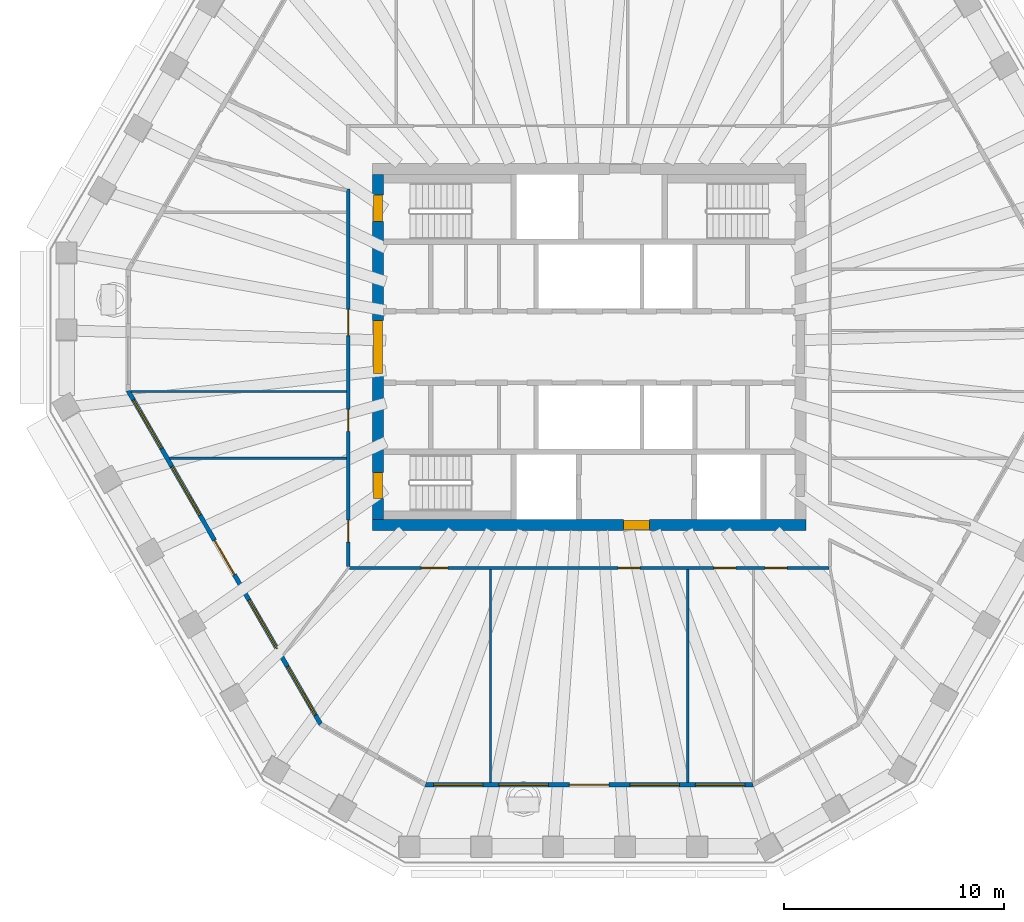
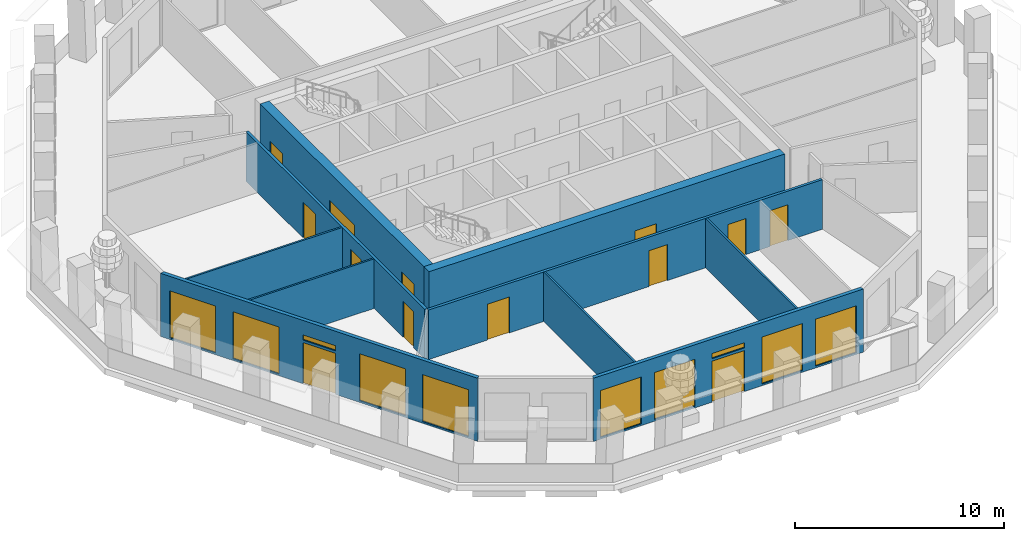
# One storey, part 3 of 11: 13 doors, 10 walls, 10 windows, 23 openings.
"""IFC4 building model written with IfcOpenShell, lengths in metres."""

from ifc_helpers import new_model, si_unit, direction, frame, frame_2d, origin, place, context, subcontext, project, spatial, polyline, rectangle, outline, extrude, material, layer, layer_set, type_object, element, fill, save


model = new_model("IFC4")

# Units and contexts
model_context = context("Model", 3, precision=1e-05, world=origin(), true_north=direction((0.0, 1.0)))
body_context = subcontext(model_context, "Body", "Model", "MODEL_VIEW")
ifc_project = project(units=[si_unit("LENGTHUNIT", "METRE"), si_unit("AREAUNIT", "SQUARE_METRE"), si_unit("VOLUMEUNIT", "CUBIC_METRE"), si_unit("PLANEANGLEUNIT", "RADIAN"), si_unit("MASSUNIT", "GRAM", prefix="KILO")], contexts=[model_context])

# Site, building, storey
site_placement = place(None, origin())
site = spatial("IfcSite", under=ifc_project, at=site_placement, CompositionType="ELEMENT")
building_placement = place(site_placement, origin())
building = spatial("IfcBuilding", under=site, at=building_placement, Name="Frailejon Research Tower", CompositionType="ELEMENT")
storey_placement = place(building_placement, frame((0.0, 0.0, 287.0)))
storey = spatial("IfcBuildingStorey", under=building, at=storey_placement, Name="L63", CompositionType="ELEMENT", Elevation=287.0)

# Wall, opening, door
ifc_material_1 = material(Name="Concrete C50/60", Category="concrete")
ifc_layer_1 = layer(ifc_material_1, 0.5)
ifc_layer_set_1 = layer_set([ifc_layer_1], Name="Core shear wall 500 C50/60")
wall_type_1 = type_object("IfcWallType", Name="Core shear wall 500 C50/60", PredefinedType="SHEAR", material=ifc_layer_set_1)
wall_1_placement = place(storey_placement, frame((-9.85009765625, -8.10009765625, 0.0), z_axis=(0.0, 0.0, 1.0), x_axis=(1.0, 0.0, 0.0)))
wall_1 = element("IfcWall", 1, at=wall_1_placement, inside=storey, type_object=wall_type_1, Name="Core shear wall", PredefinedType="SHEAR", context=body_context, shape_type="SweptSolid", body=[
    extrude(rectangle(XDim=19.7001953125, YDim=0.5, at=frame_2d((9.85009765625, 0.0))), origin(), (0.0, 0.0, 1.0), 3.699951171875),
])
opening_1_placement = place(wall_1_placement, frame((11.39990234375, 0.0, 0.0)))
opening_1 = element("IfcOpeningElement", 2, at=opening_1_placement, cuts=wall_1, Name="Opening D3", PredefinedType="OPENING", context=body_context, shape_type="SweptSolid", body=[
    extrude(rectangle(XDim=1.199951171875, YDim=2.10009765625, at=frame_2d((0.60009765625, 1.050048828125))), frame((0.0, 0.260009765625, 0.0), z_axis=(0.0, -1.0, 0.0), x_axis=(1.0, 0.0, 0.0)), (0.0, 0.0, 1.0), 0.52001953125),
])
ifc_material_2 = material(Name="Steel", Category="steel")
door_type_1 = type_object("IfcDoorType", Name="Firefighting lobby door", OperationType="SINGLE_SWING_LEFT", PredefinedType="DOOR", material=ifc_material_2)
door_1_placement = place(opening_1_placement, origin())
door_1 = element("IfcDoor", 3, at=door_1_placement, inside=storey, type_object=door_type_1, Name="Firefighting lobby door", OperationType="SINGLE_SWING_LEFT", OverallHeight=2.10009765625, OverallWidth=1.199951171875, PredefinedType="DOOR", context=body_context, shape_type="SweptSolid", body=[
    extrude(rectangle(XDim=1.199951171875, YDim=2.10009765625, at=frame_2d((0.60009765625, 1.050048828125))), frame((0.0, 0.199951171875, 0.0), z_axis=(0.0, -1.0, 0.0), x_axis=(1.0, 0.0, 0.0)), (0.0, 0.0, 1.0), 0.39990234375),
])
fill(opening_1, door_1)

# Wall, openings, doors
wall_2_placement = place(storey_placement, frame((-9.60009765625, -7.85009765625, 0.0), z_axis=(0.0, 0.0, 1.0), x_axis=(0.0, 1.0, 0.0)))
wall_2 = element("IfcWall", 4, at=wall_2_placement, inside=storey, type_object=wall_type_1, Name="Core shear wall", PredefinedType="SHEAR", context=body_context, shape_type="SweptSolid", body=[
    extrude(rectangle(XDim=15.7001953125, YDim=0.5, at=frame_2d((7.85009765625, 0.0))), origin(), (0.0, 0.0, 1.0), 3.699951171875),
])
opening_2_placement = place(wall_2_placement, frame((6.64990234375, 0.0, 0.0)))
opening_2 = element("IfcOpeningElement", 5, at=opening_2_placement, cuts=wall_2, Name="Opening D2", PredefinedType="OPENING", context=body_context, shape_type="SweptSolid", body=[
    extrude(rectangle(XDim=2.39990234375, YDim=2.10009765625, at=frame_2d((1.199951171875, 1.050048828125))), frame((0.0, 0.260009765625, 0.0), z_axis=(0.0, -1.0, 0.0), x_axis=(1.0, 0.0, 0.0)), (0.0, 0.0, 1.0), 0.52001953125),
])
opening_3_placement = place(wall_2_placement, frame((13.550048828125, 0.0, 0.0)))
opening_3 = element("IfcOpeningElement", 6, at=opening_3_placement, cuts=wall_2, Name="Opening D1", PredefinedType="OPENING", context=body_context, shape_type="SweptSolid", body=[
    extrude(rectangle(XDim=1.199951171875, YDim=2.10009765625, at=frame_2d((0.60009765625, 1.050048828125))), frame((0.0, 0.260009765625, 0.0), z_axis=(0.0, -1.0, 0.0), x_axis=(1.0, 0.0, 0.0)), (0.0, 0.0, 1.0), 0.52001953125),
])
opening_4_placement = place(wall_2_placement, frame((0.949951171875, 0.0, 0.0)))
opening_4 = element("IfcOpeningElement", 7, at=opening_4_placement, cuts=wall_2, Name="Opening D1", PredefinedType="OPENING", context=body_context, shape_type="SweptSolid", body=[
    extrude(rectangle(XDim=1.199951171875, YDim=2.10009765625, at=frame_2d((0.60009765625, 1.050048828125))), frame((0.0, 0.260009765625, 0.0), z_axis=(0.0, -1.0, 0.0), x_axis=(1.0, 0.0, 0.0)), (0.0, 0.0, 1.0), 0.52001953125),
])
ifc_material_3 = material(Name="Steel", Category="steel")
door_type_2 = type_object("IfcDoorType", Name="Lobby double door", OperationType="DOUBLE_DOOR_SINGLE_SWING", PredefinedType="DOOR", material=ifc_material_3)
door_2_placement = place(opening_2_placement, origin())
door_2 = element("IfcDoor", 8, at=door_2_placement, inside=storey, type_object=door_type_2, Name="Lobby door", OperationType="DOUBLE_DOOR_SINGLE_SWING", OverallHeight=2.10009765625, OverallWidth=2.39990234375, PredefinedType="DOOR", context=body_context, shape_type="SweptSolid", body=[
    extrude(rectangle(XDim=2.39990234375, YDim=2.10009765625, at=frame_2d((1.199951171875, 1.050048828125))), frame((0.0, 0.199951171875, 0.0), z_axis=(0.0, -1.0, 0.0), x_axis=(1.0, 0.0, 0.0)), (0.0, 0.0, 1.0), 0.39990234375),
])
fill(opening_2, door_2)
ifc_material_4 = material(Name="Steel", Category="steel")
door_type_3 = type_object("IfcDoorType", Name="Stair door", OperationType="SINGLE_SWING_LEFT", PredefinedType="DOOR", material=ifc_material_4)
door_3_placement = place(opening_3_placement, origin())
door_3 = element("IfcDoor", 9, at=door_3_placement, inside=storey, type_object=door_type_3, Name="Stair door ST1", OperationType="SINGLE_SWING_RIGHT", OverallHeight=2.10009765625, OverallWidth=1.199951171875, PredefinedType="DOOR", context=body_context, shape_type="SweptSolid", body=[
    extrude(rectangle(XDim=1.199951171875, YDim=2.10009765625, at=frame_2d((0.60009765625, 1.050048828125))), frame((0.0, 0.199951171875, 0.0), z_axis=(0.0, -1.0, 0.0), x_axis=(1.0, 0.0, 0.0)), (0.0, 0.0, 1.0), 0.39990234375),
])
fill(opening_3, door_3)
door_4_placement = place(opening_4_placement, origin())
door_4 = element("IfcDoor", 10, at=door_4_placement, inside=storey, type_object=door_type_3, Name="Stair door ST2", OperationType="SINGLE_SWING_LEFT", OverallHeight=2.10009765625, OverallWidth=1.199951171875, PredefinedType="DOOR", context=body_context, shape_type="SweptSolid", body=[
    extrude(rectangle(XDim=1.199951171875, YDim=2.10009765625, at=frame_2d((0.60009765625, 1.050048828125))), frame((0.0, 0.199951171875, 0.0), z_axis=(0.0, -1.0, 0.0), x_axis=(1.0, 0.0, 0.0)), (0.0, 0.0, 1.0), 0.39990234375),
])
fill(opening_4, door_4)

ifc_material_5 = material(Name="Gypsum board and masonry partition", Category="masonry")
ifc_layer_2 = layer(ifc_material_5, 0.14990234375)
ifc_layer_set_2 = layer_set([ifc_layer_2], Name="Corridor wall EI 60, gypsum on steel studs 150")
wall_type_2 = type_object("IfcWallType", Name="Corridor wall EI 60, gypsum on steel studs 150", PredefinedType="PARTITIONING", material=ifc_layer_set_2)
wall_3_placement = place(storey_placement, frame((-10.949951171875, -9.97509765625, 0.0), z_axis=(0.0, 0.0, 1.0), x_axis=(0.0, 1.0, 0.0)))
wall_3 = element("IfcWall", 11, at=wall_3_placement, inside=storey, type_object=wall_type_2, Name="T:IW:L63:006", PredefinedType="PARTITIONING", context=body_context, shape_type="SweptSolid", body=[
    extrude(rectangle(XDim=17.150146484375, YDim=0.14990234375, at=frame_2d((8.5751953125, 0.0))), origin(), (0.0, 0.0, 1.0), 2.89990234375),
])
opening_5_placement = place(wall_3_placement, frame((10.486328125, 0.0, 0.0)))
opening_5 = element("IfcOpeningElement", 12, at=opening_5_placement, cuts=wall_3, Name="Opening D2214", PredefinedType="OPENING", context=body_context, shape_type="SweptSolid", body=[
    extrude(rectangle(XDim=1.199951171875, YDim=2.10009765625, at=frame_2d((0.60009765625, 1.050048828125))), frame((0.0, 0.0849609375, 0.0), z_axis=(0.0, -1.0, 0.0), x_axis=(1.0, 0.0, 0.0)), (0.0, 0.0, 1.0), 0.169921875),
])
opening_6_placement = place(wall_3_placement, frame((6.131591796875, 0.0, 0.0)))
opening_6 = element("IfcOpeningElement", 13, at=opening_6_placement, cuts=wall_3, Name="Opening D2215", PredefinedType="OPENING", context=body_context, shape_type="SweptSolid", body=[
    extrude(rectangle(XDim=1.0, YDim=2.10009765625, at=frame_2d((0.5, 1.050048828125))), frame((0.0, 0.0849609375, 0.0), z_axis=(0.0, -1.0, 0.0), x_axis=(1.0, 0.0, 0.0)), (0.0, 0.0, 1.0), 0.169921875),
])
opening_7_placement = place(wall_3_placement, frame((1.096435546875, 0.0, 0.0)))
opening_7 = element("IfcOpeningElement", 14, at=opening_7_placement, cuts=wall_3, Name="Opening D2216", PredefinedType="OPENING", context=body_context, shape_type="SweptSolid", body=[
    extrude(rectangle(XDim=1.0, YDim=2.10009765625, at=frame_2d((0.5, 1.050048828125))), frame((0.0, 0.0849609375, 0.0), z_axis=(0.0, -1.0, 0.0), x_axis=(1.0, 0.0, 0.0)), (0.0, 0.0, 1.0), 0.169921875),
])
ifc_material_6 = material(Name="Timber door leaf", Category="wood")
door_type_4 = type_object("IfcDoorType", Name="Door single leaf, timber, steel frame 1000", OperationType="NOTDEFINED", PredefinedType="DOOR", material=ifc_material_6)
door_5_placement = place(opening_6_placement, origin())
door_5 = element("IfcDoor", 15, at=door_5_placement, inside=storey, type_object=door_type_4, Name="D2215", OperationType="SINGLE_SWING_RIGHT", OverallHeight=2.10009765625, OverallWidth=1.0, PredefinedType="DOOR", context=body_context, shape_type="SweptSolid", body=[
    extrude(rectangle(XDim=1.0, YDim=2.10009765625, at=frame_2d((0.5, 1.050048828125))), frame((0.0, 0.02490234375, 0.0), z_axis=(0.0, -1.0, 0.0), x_axis=(1.0, 0.0, 0.0)), (0.0, 0.0, 1.0), 0.050048828125),
])
fill(opening_6, door_5)
door_6_placement = place(opening_7_placement, origin())
door_6 = element("IfcDoor", 16, at=door_6_placement, inside=storey, type_object=door_type_4, Name="D2216", OperationType="SINGLE_SWING_RIGHT", OverallHeight=2.10009765625, OverallWidth=1.0, PredefinedType="DOOR", context=body_context, shape_type="SweptSolid", body=[
    extrude(rectangle(XDim=1.0, YDim=2.10009765625, at=frame_2d((0.5, 1.050048828125))), frame((0.0, 0.02490234375, 0.0), z_axis=(0.0, -1.0, 0.0), x_axis=(1.0, 0.0, 0.0)), (0.0, 0.0, 1.0), 0.050048828125),
])
fill(opening_7, door_6)
ifc_material_7 = material(Name="Timber door leaf", Category="wood")
door_type_5 = type_object("IfcDoorType", Name="Door single leaf, timber, steel frame 1200", OperationType="NOTDEFINED", PredefinedType="DOOR", material=ifc_material_7)
door_7_placement = place(opening_5_placement, origin())
door_7 = element("IfcDoor", 17, at=door_7_placement, inside=storey, type_object=door_type_5, Name="D2214", OperationType="DOUBLE_DOOR_SINGLE_SWING", OverallHeight=2.10009765625, OverallWidth=1.199951171875, PredefinedType="DOOR", context=body_context, shape_type="SweptSolid", body=[
    extrude(rectangle(XDim=1.199951171875, YDim=2.10009765625, at=frame_2d((0.60009765625, 1.050048828125))), frame((0.0, 0.02490234375, 0.0), z_axis=(0.0, -1.0, 0.0), x_axis=(1.0, 0.0, 0.0)), (0.0, 0.0, 1.0), 0.050048828125),
])
fill(opening_5, door_7)

wall_4_placement = place(storey_placement, frame((-10.89990234375, -10.050048828125, 0.0), z_axis=(0.0, 0.0, 1.0), x_axis=(1.0, 0.0, 0.0)))
wall_4 = element("IfcWall", 18, at=wall_4_placement, inside=storey, type_object=wall_type_2, Name="T:IW:L63:008", PredefinedType="PARTITIONING", context=body_context, shape_type="SweptSolid", body=[
    extrude(rectangle(XDim=21.7998046875, YDim=0.14990234375, at=frame_2d((10.89990234375, 0.0))), origin(), (0.0, 0.0, 1.0), 2.89990234375),
])
opening_8_placement = place(wall_4_placement, frame((3.26904296875, 0.0, 0.0)))
opening_8 = element("IfcOpeningElement", 19, at=opening_8_placement, cuts=wall_4, Name="Opening D2217", PredefinedType="OPENING", context=body_context, shape_type="SweptSolid", body=[
    extrude(rectangle(XDim=1.199951171875, YDim=2.10009765625, at=frame_2d((0.60009765625, 1.050048828125))), frame((0.0, 0.0849609375, 0.0), z_axis=(0.0, -1.0, 0.0), x_axis=(1.0, 0.0, 0.0)), (0.0, 0.0, 1.0), 0.169921875),
])
opening_9_placement = place(wall_4_placement, frame((12.216064453125, 0.0, 0.0)))
opening_9 = element("IfcOpeningElement", 20, at=opening_9_placement, cuts=wall_4, Name="Opening D2218", PredefinedType="OPENING", context=body_context, shape_type="SweptSolid", body=[
    extrude(rectangle(XDim=1.0, YDim=2.10009765625, at=frame_2d((0.5, 1.050048828125))), frame((0.0, 0.0849609375, 0.0), z_axis=(0.0, -1.0, 0.0), x_axis=(1.0, 0.0, 0.0)), (0.0, 0.0, 1.0), 0.169921875),
])
opening_10_placement = place(wall_4_placement, frame((16.5693359375, 0.0, 0.0)))
opening_10 = element("IfcOpeningElement", 21, at=opening_10_placement, cuts=wall_4, Name="Opening D2219", PredefinedType="OPENING", context=body_context, shape_type="SweptSolid", body=[
    extrude(rectangle(XDim=1.0, YDim=2.10009765625, at=frame_2d((0.5, 1.050048828125))), frame((0.0, 0.0849609375, 0.0), z_axis=(0.0, -1.0, 0.0), x_axis=(1.0, 0.0, 0.0)), (0.0, 0.0, 1.0), 0.169921875),
])
opening_11_placement = place(wall_4_placement, frame((18.896728515625, 0.0, 0.0)))
opening_11 = element("IfcOpeningElement", 22, at=opening_11_placement, cuts=wall_4, Name="Opening D2220", PredefinedType="OPENING", context=body_context, shape_type="SweptSolid", body=[
    extrude(rectangle(XDim=1.0, YDim=2.10009765625, at=frame_2d((0.5, 1.050048828125))), frame((0.0, 0.0849609375, 0.0), z_axis=(0.0, -1.0, 0.0), x_axis=(1.0, 0.0, 0.0)), (0.0, 0.0, 1.0), 0.169921875),
])
door_8_placement = place(opening_9_placement, origin())
door_8 = element("IfcDoor", 23, at=door_8_placement, inside=storey, type_object=door_type_4, Name="D2218", OperationType="SINGLE_SWING_LEFT", OverallHeight=2.10009765625, OverallWidth=1.0, PredefinedType="DOOR", context=body_context, shape_type="SweptSolid", body=[
    extrude(rectangle(XDim=1.0, YDim=2.10009765625, at=frame_2d((0.5, 1.050048828125))), frame((0.0, 0.02490234375, 0.0), z_axis=(0.0, -1.0, 0.0), x_axis=(1.0, 0.0, 0.0)), (0.0, 0.0, 1.0), 0.050048828125),
])
fill(opening_9, door_8)
door_9_placement = place(opening_10_placement, origin())
door_9 = element("IfcDoor", 24, at=door_9_placement, inside=storey, type_object=door_type_4, Name="D2219", OperationType="SINGLE_SWING_RIGHT", OverallHeight=2.10009765625, OverallWidth=1.0, PredefinedType="DOOR", context=body_context, shape_type="SweptSolid", body=[
    extrude(rectangle(XDim=1.0, YDim=2.10009765625, at=frame_2d((0.5, 1.050048828125))), frame((0.0, 0.02490234375, 0.0), z_axis=(0.0, -1.0, 0.0), x_axis=(1.0, 0.0, 0.0)), (0.0, 0.0, 1.0), 0.050048828125),
])
fill(opening_10, door_9)
door_10_placement = place(opening_11_placement, origin())
door_10 = element("IfcDoor", 25, at=door_10_placement, inside=storey, type_object=door_type_4, Name="D2220", OperationType="SINGLE_SWING_RIGHT", OverallHeight=2.10009765625, OverallWidth=1.0, PredefinedType="DOOR", context=body_context, shape_type="SweptSolid", body=[
    extrude(rectangle(XDim=1.0, YDim=2.10009765625, at=frame_2d((0.5, 1.050048828125))), frame((0.0, 0.02490234375, 0.0), z_axis=(0.0, -1.0, 0.0), x_axis=(1.0, 0.0, 0.0)), (0.0, 0.0, 1.0), 0.050048828125),
])
fill(opening_11, door_10)
door_11_placement = place(opening_8_placement, origin())
door_11 = element("IfcDoor", 26, at=door_11_placement, inside=storey, type_object=door_type_5, Name="D2217", OperationType="DOUBLE_DOOR_SINGLE_SWING", OverallHeight=2.10009765625, OverallWidth=1.199951171875, PredefinedType="DOOR", context=body_context, shape_type="SweptSolid", body=[
    extrude(rectangle(XDim=1.199951171875, YDim=2.10009765625, at=frame_2d((0.60009765625, 1.050048828125))), frame((0.0, 0.02490234375, 0.0), z_axis=(0.0, -1.0, 0.0), x_axis=(1.0, 0.0, 0.0)), (0.0, 0.0, 1.0), 0.050048828125),
])
fill(opening_8, door_11)

# Walls
ifc_material_8 = material(Name="Gypsum board and masonry partition", Category="masonry")
ifc_layer_3 = layer(ifc_material_8, 0.10009765625)
ifc_layer_set_3 = layer_set([ifc_layer_3], Name="Partition, gypsum on steel studs 100")
wall_type_3 = type_object("IfcWallType", Name="Partition, gypsum on steel studs 100", PredefinedType="PARTITIONING", material=ifc_layer_set_3)
wall_5_placement = place(storey_placement, frame((-20.828369140625, -2.0244140625, 0.0), z_axis=(0.0, 0.0, 1.0), x_axis=(1.0, 0.0, 0.0)))
element("IfcWall", 27, at=wall_5_placement, inside=storey, type_object=wall_type_3, Name="T:IW:L63:020", PredefinedType="PARTITIONING", context=body_context, shape_type="SweptSolid", body=[
    extrude(rectangle(XDim=9.803466796875, YDim=0.10009765625, at=frame_2d((4.90185546875, 0.0))), origin(), (0.0, 0.0, 1.0), 2.89990234375),
])
wall_6_placement = place(storey_placement, frame((-19.072998046875, -5.064697265625, 0.0), z_axis=(0.0, 0.0, 1.0), x_axis=(1.0, 0.0, 0.0)))
element("IfcWall", 28, at=wall_6_placement, inside=storey, type_object=wall_type_3, Name="T:IW:L63:022", PredefinedType="PARTITIONING", context=body_context, shape_type="SweptSolid", body=[
    extrude(rectangle(XDim=8.048095703125, YDim=0.10009765625, at=frame_2d((4.02392578125, 0.0))), origin(), (0.0, 0.0, 1.0), 2.89990234375),
])
for number, where, z_axis, x_axis, name in (
    (29, (-4.482177734375, -19.80419921875, 0.0), (0.0, 0.0, 1.0), (0.0, 1.0, 0.0), "T:IW:L63:025"),
    (30, (4.482177734375, -19.80419921875, 0.0), (0.0, 0.0, 1.0), (0.0, 1.0, 0.0), "T:IW:L63:026"),
):
    element("IfcWall", number, at=place(storey_placement, frame(where, z_axis=z_axis, x_axis=x_axis)), inside=storey, type_object=wall_type_3, Name=name, PredefinedType="PARTITIONING", context=body_context, shape_type="SweptSolid", body=[
        extrude(rectangle(XDim=9.67919921875, YDim=0.10009765625, at=frame_2d((4.839599609375, 0.0))), origin(), (0.0, 0.0, 1.0), 2.89990234375),
    ])

# Wall, openings, door, windows
ifc_material_9 = material(Name="Concrete C40/50 precast window wall panel", Category="concrete")
ifc_layer_4 = layer(ifc_material_9, 0.199951171875)
ifc_layer_set_4 = layer_set([ifc_layer_4], Name="Window wall 200")
wall_type_4 = type_object("IfcWallType", Name="Window wall 200", PredefinedType="SOLIDWALL", material=ifc_layer_set_4)
wall_7_placement = place(storey_placement, frame((-20.959228515625, -1.99755859375, 0.0), z_axis=(0.0, 0.0, 1.0), x_axis=(0.499999812077, -0.866025512282, 0.0)))
wall_7 = element("IfcWall", 31, at=wall_7_placement, inside=storey, type_object=wall_type_4, Name="Exterior wall L63", PredefinedType="SOLIDWALL", context=body_context, shape_type="SweptSolid", body=[
    extrude(outline(polyline([(-0.02685546875, -0.10009765625), (1.005615234375, -0.10009765625), (2.038330078125, -0.10009765625), (3.07080078125, -0.10009765625), (4.103271484375, -0.10009765625), (5.1357421875, -0.10009765625), (6.16845703125, -0.10009765625), (7.200927734375, -0.10009765625), (8.2333984375, -0.10009765625), (9.26611328125, -0.10009765625), (10.298583984375, -0.10009765625), (11.3310546875, -0.10009765625), (12.36376953125, -0.10009765625), (13.396240234375, -0.10009765625), (14.4287109375, -0.10009765625), (15.461181640625, -0.10009765625), (16.493896484375, -0.10009765625), (17.5263671875, -0.10009765625), (17.47265625, 0.10009765625), (16.446533203125, 0.10009765625), (15.420166015625, 0.10009765625), (14.39404296875, 0.10009765625), (13.36767578125, 0.10009765625), (12.341552734375, 0.10009765625), (11.3154296875, 0.10009765625), (10.2890625, 0.10009765625), (9.262939453125, 0.10009765625), (8.236572265625, 0.10009765625), (7.21044921875, 0.10009765625), (6.18408203125, 0.10009765625), (5.157958984375, 0.10009765625), (4.1318359375, 0.10009765625), (3.10546875, 0.10009765625), (2.079345703125, 0.10009765625), (1.052978515625, 0.10009765625), (0.02685546875, 0.10009765625), (-0.02685546875, -0.10009765625)])), origin(), (0.0, 0.0, 1.0), 3.699951171875),
])
opening_12_placement = place(wall_7_placement, frame((0.47509765625, 0.0, 0.10009765625)))
opening_12 = element("IfcOpeningElement", 32, at=opening_12_placement, cuts=wall_7, Name="Opening W25", PredefinedType="OPENING", context=body_context, shape_type="SweptSolid", body=[
    extrude(rectangle(XDim=2.550048828125, YDim=2.75, at=frame_2d((1.27490234375, 1.375))), frame((0.0, 0.10986328125, 0.0), z_axis=(0.0, -1.0, 0.0), x_axis=(1.0, 0.0, 0.0)), (0.0, 0.0, 1.0), 0.219970703125),
])
opening_13_placement = place(wall_7_placement, frame((3.974853515625, 0.0, 0.10009765625)))
opening_13 = element("IfcOpeningElement", 33, at=opening_13_placement, cuts=wall_7, Name="Opening W25", PredefinedType="OPENING", context=body_context, shape_type="SweptSolid", body=[
    extrude(rectangle(XDim=2.550048828125, YDim=2.75, at=frame_2d((1.27490234375, 1.375))), frame((0.0, 0.10986328125, 0.0), z_axis=(0.0, -1.0, 0.0), x_axis=(1.0, 0.0, 0.0)), (0.0, 0.0, 1.0), 0.219970703125),
])
opening_14_placement = place(wall_7_placement, frame((7.849853515625, 0.0, 0.0)))
opening_14 = element("IfcOpeningElement", 34, at=opening_14_placement, cuts=wall_7, Name="Opening LG63-4", PredefinedType="OPENING", context=body_context, shape_type="SweptSolid", body=[
    extrude(rectangle(XDim=1.800048828125, YDim=2.39990234375, at=frame_2d((0.89990234375, 1.199951171875))), frame((0.0, 0.10986328125, 0.0), z_axis=(0.0, -1.0, 0.0), x_axis=(1.0, 0.0, 0.0)), (0.0, 0.0, 1.0), 0.219970703125),
])
opening_15_placement = place(wall_7_placement, frame((7.849853515625, 0.0, 2.550048828125)))
opening_15 = element("IfcOpeningElement", 35, at=opening_15_placement, cuts=wall_7, Name="Opening W24", PredefinedType="OPENING", context=body_context, shape_type="SweptSolid", body=[
    extrude(rectangle(XDim=1.800048828125, YDim=0.300048828125, at=frame_2d((0.89990234375, 0.14990234375))), frame((0.0, 0.10986328125, 0.0), z_axis=(0.0, -1.0, 0.0), x_axis=(1.0, 0.0, 0.0)), (0.0, 0.0, 1.0), 0.219970703125),
])
opening_16_placement = place(wall_7_placement, frame((10.974609375, 0.0, 0.10009765625)))
opening_16 = element("IfcOpeningElement", 36, at=opening_16_placement, cuts=wall_7, Name="Opening W25", PredefinedType="OPENING", context=body_context, shape_type="SweptSolid", body=[
    extrude(rectangle(XDim=2.550048828125, YDim=2.75, at=frame_2d((1.27490234375, 1.375))), frame((0.0, 0.10986328125, 0.0), z_axis=(0.0, -1.0, 0.0), x_axis=(1.0, 0.0, 0.0)), (0.0, 0.0, 1.0), 0.219970703125),
])
opening_17_placement = place(wall_7_placement, frame((14.474609375, 0.0, 0.10009765625)))
opening_17 = element("IfcOpeningElement", 37, at=opening_17_placement, cuts=wall_7, Name="Opening W25", PredefinedType="OPENING", context=body_context, shape_type="SweptSolid", body=[
    extrude(rectangle(XDim=2.550048828125, YDim=2.75, at=frame_2d((1.27490234375, 1.375))), frame((0.0, 0.10986328125, 0.0), z_axis=(0.0, -1.0, 0.0), x_axis=(1.0, 0.0, 0.0)), (0.0, 0.0, 1.0), 0.219970703125),
])
ifc_material_10 = material(Name="Aluminium framed glazed door leaf", Category="aluminium")
door_type_6 = type_object("IfcDoorType", Name="Loggia door 1800x2400", OperationType="DOUBLE_DOOR_SINGLE_SWING", PredefinedType="DOOR", material=ifc_material_10)
door_12_placement = place(opening_14_placement, origin())
door_12 = element("IfcDoor", 38, at=door_12_placement, inside=storey, type_object=door_type_6, Name="Door LG63-4", OperationType="DOUBLE_DOOR_SINGLE_SWING", OverallHeight=2.39990234375, OverallWidth=1.800048828125, PredefinedType="DOOR", context=body_context, shape_type="SweptSolid", body=[
    extrude(rectangle(XDim=1.800048828125, YDim=2.39990234375, at=frame_2d((0.89990234375, 1.199951171875))), frame((0.0, 0.02490234375, 0.0), z_axis=(0.0, -1.0, 0.0), x_axis=(1.0, 0.0, 0.0)), (0.0, 0.0, 1.0), 0.050048828125),
])
fill(opening_14, door_12)
ifc_material_11 = material(Name="Aluminium framed double glazing", Category="aluminium")
window_type_1 = type_object("IfcWindowType", Name="Window 1800x300", PartitioningType="SINGLE_PANEL", PredefinedType="WINDOW", material=ifc_material_11)
window_1_placement = place(opening_15_placement, origin())
window_1 = element("IfcWindow", 39, at=window_1_placement, inside=storey, type_object=window_type_1, Name="Window L63", OverallHeight=0.300048828125, OverallWidth=1.800048828125, PartitioningType="SINGLE_PANEL", PredefinedType="WINDOW", context=body_context, shape_type="SweptSolid", body=[
    extrude(rectangle(XDim=1.800048828125, YDim=0.300048828125, at=frame_2d((0.89990234375, 0.14990234375))), frame((0.0, 0.030029296875, 0.0), z_axis=(0.0, -1.0, 0.0), x_axis=(1.0, 0.0, 0.0)), (0.0, 0.0, 1.0), 0.06005859375),
])
fill(opening_15, window_1)
ifc_material_12 = material(Name="Aluminium framed double glazing", Category="aluminium")
window_type_2 = type_object("IfcWindowType", Name="Window 2550x2750", PartitioningType="SINGLE_PANEL", PredefinedType="WINDOW", material=ifc_material_12)
window_2_placement = place(opening_12_placement, origin())
window_2 = element("IfcWindow", 40, at=window_2_placement, inside=storey, type_object=window_type_2, Name="Window L63", OverallHeight=2.75, OverallWidth=2.550048828125, PartitioningType="SINGLE_PANEL", PredefinedType="WINDOW", context=body_context, shape_type="SweptSolid", body=[
    extrude(rectangle(XDim=2.550048828125, YDim=2.75, at=frame_2d((1.27490234375, 1.375))), frame((0.0, 0.030029296875, 0.0), z_axis=(0.0, -1.0, 0.0), x_axis=(1.0, 0.0, 0.0)), (0.0, 0.0, 1.0), 0.06005859375),
])
fill(opening_12, window_2)
window_3_placement = place(opening_13_placement, origin())
window_3 = element("IfcWindow", 41, at=window_3_placement, inside=storey, type_object=window_type_2, Name="Window L63", OverallHeight=2.75, OverallWidth=2.550048828125, PartitioningType="SINGLE_PANEL", PredefinedType="WINDOW", context=body_context, shape_type="SweptSolid", body=[
    extrude(rectangle(XDim=2.550048828125, YDim=2.75, at=frame_2d((1.27490234375, 1.375))), frame((0.0, 0.030029296875, 0.0), z_axis=(0.0, -1.0, 0.0), x_axis=(1.0, 0.0, 0.0)), (0.0, 0.0, 1.0), 0.06005859375),
])
fill(opening_13, window_3)
window_4_placement = place(opening_16_placement, origin())
window_4 = element("IfcWindow", 42, at=window_4_placement, inside=storey, type_object=window_type_2, Name="Window L63", OverallHeight=2.75, OverallWidth=2.550048828125, PartitioningType="SINGLE_PANEL", PredefinedType="WINDOW", context=body_context, shape_type="SweptSolid", body=[
    extrude(rectangle(XDim=2.550048828125, YDim=2.75, at=frame_2d((1.27490234375, 1.375))), frame((0.0, 0.030029296875, 0.0), z_axis=(0.0, -1.0, 0.0), x_axis=(1.0, 0.0, 0.0)), (0.0, 0.0, 1.0), 0.06005859375),
])
fill(opening_16, window_4)
window_5_placement = place(opening_17_placement, origin())
window_5 = element("IfcWindow", 43, at=window_5_placement, inside=storey, type_object=window_type_2, Name="Window L63", OverallHeight=2.75, OverallWidth=2.550048828125, PartitioningType="SINGLE_PANEL", PredefinedType="WINDOW", context=body_context, shape_type="SweptSolid", body=[
    extrude(rectangle(XDim=2.550048828125, YDim=2.75, at=frame_2d((1.27490234375, 1.375))), frame((0.0, 0.030029296875, 0.0), z_axis=(0.0, -1.0, 0.0), x_axis=(1.0, 0.0, 0.0)), (0.0, 0.0, 1.0), 0.06005859375),
])
fill(opening_17, window_5)

wall_8_placement = place(storey_placement, frame((-7.443359375, -19.904296875, 0.0), z_axis=(0.0, 0.0, 1.0), x_axis=(1.0, 0.0, 0.0)))
wall_8 = element("IfcWall", 44, at=wall_8_placement, inside=storey, type_object=wall_type_4, Name="Exterior wall L63", PredefinedType="SOLIDWALL", context=body_context, shape_type="SweptSolid", body=[
    extrude(outline(polyline([(-0.02685546875, -0.10009765625), (1.040283203125, -0.10009765625), (2.107421875, -0.10009765625), (3.174560546875, -0.10009765625), (4.241943359375, -0.10009765625), (5.30908203125, -0.10009765625), (6.376220703125, -0.10009765625), (7.443359375, -0.10009765625), (8.510498046875, -0.10009765625), (9.57763671875, -0.10009765625), (10.644775390625, -0.10009765625), (11.712158203125, -0.10009765625), (12.779296875, -0.10009765625), (13.846435546875, -0.10009765625), (14.91357421875, -0.10009765625), (14.85986328125, 0.10009765625), (13.80029296875, 0.10009765625), (12.740966796875, 0.10009765625), (11.681396484375, 0.10009765625), (10.621826171875, 0.10009765625), (9.562255859375, 0.10009765625), (8.5029296875, 0.10009765625), (7.443359375, 0.10009765625), (6.3837890625, 0.10009765625), (5.324462890625, 0.10009765625), (4.264892578125, 0.10009765625), (3.205322265625, 0.10009765625), (2.145751953125, 0.10009765625), (1.08642578125, 0.10009765625), (0.02685546875, 0.10009765625), (-0.02685546875, -0.10009765625)])), origin(), (0.0, 0.0, 1.0), 3.699951171875),
])
opening_18_placement = place(wall_8_placement, frame((0.36376953125, 0.0, 0.10009765625)))
opening_18 = element("IfcOpeningElement", 45, at=opening_18_placement, cuts=wall_8, Name="Opening W23", PredefinedType="OPENING", context=body_context, shape_type="SweptSolid", body=[
    extrude(rectangle(XDim=2.25, YDim=2.75, at=frame_2d((1.125, 1.375))), frame((0.0, 0.10986328125, 0.0), z_axis=(0.0, -1.0, 0.0), x_axis=(1.0, 0.0, 0.0)), (0.0, 0.0, 1.0), 0.219970703125),
])
opening_19_placement = place(wall_8_placement, frame((3.341064453125, 0.0, 0.10009765625)))
opening_19 = element("IfcOpeningElement", 46, at=opening_19_placement, cuts=wall_8, Name="Opening W23", PredefinedType="OPENING", context=body_context, shape_type="SweptSolid", body=[
    extrude(rectangle(XDim=2.25, YDim=2.75, at=frame_2d((1.125, 1.375))), frame((0.0, 0.10986328125, 0.0), z_axis=(0.0, -1.0, 0.0), x_axis=(1.0, 0.0, 0.0)), (0.0, 0.0, 1.0), 0.219970703125),
])
opening_20_placement = place(wall_8_placement, frame((6.54345703125, 0.0, 0.0)))
opening_20 = element("IfcOpeningElement", 47, at=opening_20_placement, cuts=wall_8, Name="Opening LG63-5", PredefinedType="OPENING", context=body_context, shape_type="SweptSolid", body=[
    extrude(rectangle(XDim=1.800048828125, YDim=2.39990234375, at=frame_2d((0.89990234375, 1.199951171875))), frame((0.0, 0.10986328125, 0.0), z_axis=(0.0, -1.0, 0.0), x_axis=(1.0, 0.0, 0.0)), (0.0, 0.0, 1.0), 0.219970703125),
])
opening_21_placement = place(wall_8_placement, frame((6.54345703125, 0.0, 2.550048828125)))
opening_21 = element("IfcOpeningElement", 48, at=opening_21_placement, cuts=wall_8, Name="Opening W24", PredefinedType="OPENING", context=body_context, shape_type="SweptSolid", body=[
    extrude(rectangle(XDim=1.800048828125, YDim=0.300048828125, at=frame_2d((0.89990234375, 0.14990234375))), frame((0.0, 0.10986328125, 0.0), z_axis=(0.0, -1.0, 0.0), x_axis=(1.0, 0.0, 0.0)), (0.0, 0.0, 1.0), 0.219970703125),
])
opening_22_placement = place(wall_8_placement, frame((9.2958984375, 0.0, 0.10009765625)))
opening_22 = element("IfcOpeningElement", 49, at=opening_22_placement, cuts=wall_8, Name="Opening W23", PredefinedType="OPENING", context=body_context, shape_type="SweptSolid", body=[
    extrude(rectangle(XDim=2.25, YDim=2.75, at=frame_2d((1.125, 1.375))), frame((0.0, 0.10986328125, 0.0), z_axis=(0.0, -1.0, 0.0), x_axis=(1.0, 0.0, 0.0)), (0.0, 0.0, 1.0), 0.219970703125),
])
opening_23_placement = place(wall_8_placement, frame((12.273193359375, 0.0, 0.10009765625)))
opening_23 = element("IfcOpeningElement", 50, at=opening_23_placement, cuts=wall_8, Name="Opening W23", PredefinedType="OPENING", context=body_context, shape_type="SweptSolid", body=[
    extrude(rectangle(XDim=2.25, YDim=2.75, at=frame_2d((1.125, 1.375))), frame((0.0, 0.10986328125, 0.0), z_axis=(0.0, -1.0, 0.0), x_axis=(1.0, 0.0, 0.0)), (0.0, 0.0, 1.0), 0.219970703125),
])
door_13_placement = place(opening_20_placement, origin())
door_13 = element("IfcDoor", 51, at=door_13_placement, inside=storey, type_object=door_type_6, Name="Door LG63-5", OperationType="DOUBLE_DOOR_SINGLE_SWING", OverallHeight=2.39990234375, OverallWidth=1.800048828125, PredefinedType="DOOR", context=body_context, shape_type="SweptSolid", body=[
    extrude(rectangle(XDim=1.800048828125, YDim=2.39990234375, at=frame_2d((0.89990234375, 1.199951171875))), frame((0.0, 0.02490234375, 0.0), z_axis=(0.0, -1.0, 0.0), x_axis=(1.0, 0.0, 0.0)), (0.0, 0.0, 1.0), 0.050048828125),
])
fill(opening_20, door_13)
window_6_placement = place(opening_21_placement, origin())
window_6 = element("IfcWindow", 52, at=window_6_placement, inside=storey, type_object=window_type_1, Name="Window L63", OverallHeight=0.300048828125, OverallWidth=1.800048828125, PartitioningType="SINGLE_PANEL", PredefinedType="WINDOW", context=body_context, shape_type="SweptSolid", body=[
    extrude(rectangle(XDim=1.800048828125, YDim=0.300048828125, at=frame_2d((0.89990234375, 0.14990234375))), frame((0.0, 0.030029296875, 0.0), z_axis=(0.0, -1.0, 0.0), x_axis=(1.0, 0.0, 0.0)), (0.0, 0.0, 1.0), 0.06005859375),
])
fill(opening_21, window_6)
ifc_material_13 = material(Name="Aluminium framed double glazing", Category="aluminium")
window_type_3 = type_object("IfcWindowType", Name="Window 2250x2750", PartitioningType="SINGLE_PANEL", PredefinedType="WINDOW", material=ifc_material_13)
window_7_placement = place(opening_18_placement, origin())
window_7 = element("IfcWindow", 53, at=window_7_placement, inside=storey, type_object=window_type_3, Name="Window L63", OverallHeight=2.75, OverallWidth=2.25, PartitioningType="SINGLE_PANEL", PredefinedType="WINDOW", context=body_context, shape_type="SweptSolid", body=[
    extrude(rectangle(XDim=2.25, YDim=2.75, at=frame_2d((1.125, 1.375))), frame((0.0, 0.030029296875, 0.0), z_axis=(0.0, -1.0, 0.0), x_axis=(1.0, 0.0, 0.0)), (0.0, 0.0, 1.0), 0.06005859375),
])
fill(opening_18, window_7)
window_8_placement = place(opening_19_placement, origin())
window_8 = element("IfcWindow", 54, at=window_8_placement, inside=storey, type_object=window_type_3, Name="Window L63", OverallHeight=2.75, OverallWidth=2.25, PartitioningType="SINGLE_PANEL", PredefinedType="WINDOW", context=body_context, shape_type="SweptSolid", body=[
    extrude(rectangle(XDim=2.25, YDim=2.75, at=frame_2d((1.125, 1.375))), frame((0.0, 0.030029296875, 0.0), z_axis=(0.0, -1.0, 0.0), x_axis=(1.0, 0.0, 0.0)), (0.0, 0.0, 1.0), 0.06005859375),
])
fill(opening_19, window_8)
window_9_placement = place(opening_22_placement, origin())
window_9 = element("IfcWindow", 55, at=window_9_placement, inside=storey, type_object=window_type_3, Name="Window L63", OverallHeight=2.75, OverallWidth=2.25, PartitioningType="SINGLE_PANEL", PredefinedType="WINDOW", context=body_context, shape_type="SweptSolid", body=[
    extrude(rectangle(XDim=2.25, YDim=2.75, at=frame_2d((1.125, 1.375))), frame((0.0, 0.030029296875, 0.0), z_axis=(0.0, -1.0, 0.0), x_axis=(1.0, 0.0, 0.0)), (0.0, 0.0, 1.0), 0.06005859375),
])
fill(opening_22, window_9)
window_10_placement = place(opening_23_placement, origin())
window_10 = element("IfcWindow", 56, at=window_10_placement, inside=storey, type_object=window_type_3, Name="Window L63", OverallHeight=2.75, OverallWidth=2.25, PartitioningType="SINGLE_PANEL", PredefinedType="WINDOW", context=body_context, shape_type="SweptSolid", body=[
    extrude(rectangle(XDim=2.25, YDim=2.75, at=frame_2d((1.125, 1.375))), frame((0.0, 0.030029296875, 0.0), z_axis=(0.0, -1.0, 0.0), x_axis=(1.0, 0.0, 0.0)), (0.0, 0.0, 1.0), 0.06005859375),
])
fill(opening_23, window_10)

save(model, "model.ifc")
